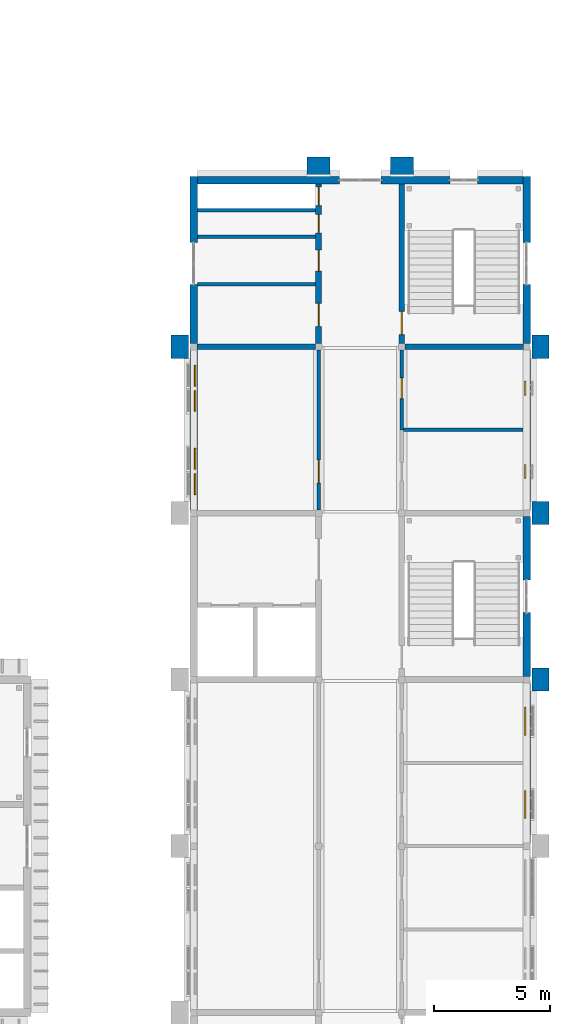
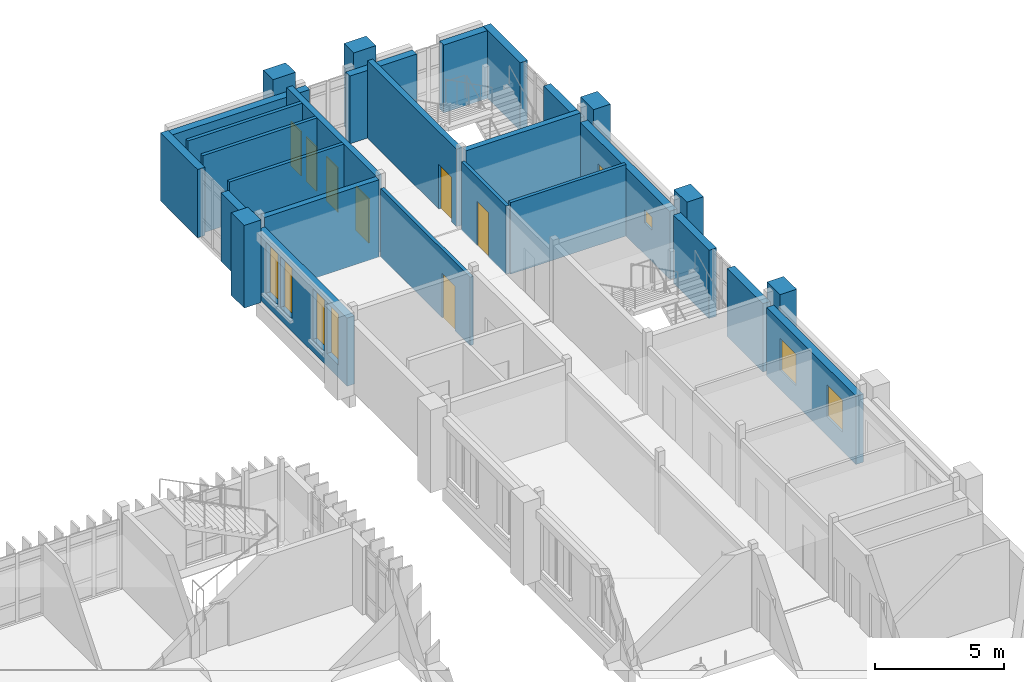
# One storey, part 47 of 69: 28 walls, 8 windows, 7 doors, 15 openings.
"""IFC4 building model written with IfcOpenShell, lengths in metres."""

from ifc_helpers import new_model, si_unit, direction, frame, frame_2d, origin, place, context, subcontext, project, spatial, rectangle, extrude, material, layer, layer_set, type_object, element, fill, save


model = new_model("IFC4")

# Units and contexts
model_context = context("Model", 3, precision=1e-05, world=origin(), true_north=direction((0.0, 1.0)))
body_context = subcontext(model_context, "Body", "Model", "MODEL_VIEW")
ifc_project = project(units=[si_unit("LENGTHUNIT", "METRE"), si_unit("AREAUNIT", "SQUARE_METRE"), si_unit("VOLUMEUNIT", "CUBIC_METRE"), si_unit("PLANEANGLEUNIT", "RADIAN"), si_unit("MASSUNIT", "GRAM", prefix="KILO")], contexts=[model_context])

# Site, building, storey
site_placement = place(None, origin())
site = spatial("IfcSite", under=ifc_project, at=site_placement, CompositionType="ELEMENT")
building_placement = place(site_placement, origin())
building = spatial("IfcBuilding", under=site, at=building_placement, Name="Mazhai Court Health Centre", CompositionType="ELEMENT")
storey_placement = place(building_placement, frame((0.0, 0.0, 6.300048828125)))
storey = spatial("IfcBuildingStorey", under=building, at=storey_placement, Name="L01", CompositionType="ELEMENT", Elevation=6.300048828125)

# Walls
ifc_material_1 = material(Name="Clay brick masonry", Category="masonry")
ifc_layer_1 = layer(ifc_material_1, 0.75)
ifc_layer_set_1 = layer_set([ifc_layer_1], Name="BRICK PIER 750")
wall_type_1 = type_object("IfcWallType", Name="BRICK PIER 750", PredefinedType="SOLIDWALL", material=ifc_layer_set_1)
for number, where, z_axis, x_axis, name in (
    (1, (135.199951171875, 41.699951171875, 0.0), (0.0, 0.0, 1.0), (0.0, 1.0, 0.0), "EP-V6-L01-A5"),
    (2, (150.800048828125, 28.300048828125, 0.0), (0.0, 0.0, 1.0), (0.0, -1.0, 0.0), "EP-V6-L01-B3"),
    (3, (150.800048828125, 35.5, 0.0), (0.0, 0.0, 1.0), (0.0, -1.0, 0.0), "EP-V6-L01-B4"),
    (4, (150.800048828125, 42.699951171875, 0.0), (0.0, 0.0, 1.0), (0.0, -1.0, 0.0), "EP-V6-L01-B5"),
    (5, (140.699951171875, 50.02490234375, 0.0), (0.0, 0.0, 1.0), (1.0, 0.0, 0.0), "EP-V6-L01-E54"),
    (6, (144.300048828125, 50.02490234375, 0.0), (0.0, 0.0, 1.0), (1.0, 0.0, 0.0), "EP-V6-L01-E90"),
):
    element("IfcWall", number, at=place(storey_placement, frame(where, z_axis=z_axis, x_axis=x_axis)), inside=storey, type_object=wall_type_1, Name=name, PredefinedType="SOLIDWALL", context=body_context, shape_type="SweptSolid", body=[
        extrude(rectangle(XDim=1.0, YDim=0.75, at=frame_2d((0.5, 0.0))), origin(), (0.0, 0.0, 1.0), 3.89990234375),
    ])

# Wall, openings, windows
ifc_material_2 = material(Name="Clay brick masonry", Category="masonry")
ifc_layer_2 = layer(ifc_material_2, 0.330078125)
ifc_layer_set_2 = layer_set([ifc_layer_2], Name="BRICK WALL 330 EXTERNAL")
wall_type_2 = type_object("IfcWallType", Name="BRICK WALL 330 EXTERNAL", PredefinedType="SOLIDWALL", material=ifc_layer_set_2)
wall_1_placement = place(storey_placement, frame((135.800048828125, 35.139892578125, 0.0), z_axis=(0.0, 0.0, 1.0), x_axis=(0.0, 1.0, 0.0)))
wall_1 = element("IfcWall", 7, at=wall_1_placement, inside=storey, type_object=wall_type_2, Name="EW-V6-L01-A4p0", PredefinedType="SOLIDWALL", context=body_context, shape_type="SweptSolid", body=[
    extrude(rectangle(XDim=6.920166015625, YDim=0.330078125, at=frame_2d((3.4599609375, 0.0))), origin(), (0.0, 0.0, 1.0), 3.219970703125),
])
opening_1_placement = place(wall_1_placement, frame((0.659912109375, 0.0, 0.60009765625)))
opening_1 = element("IfcOpeningElement", 8, at=opening_1_placement, cuts=wall_1, Name="Opening W14", PredefinedType="OPENING", context=body_context, shape_type="SweptSolid", body=[
    extrude(rectangle(XDim=0.89990234375, YDim=2.39990234375, at=frame_2d((0.449951171875, 1.199951171875))), frame((0.0, 0.175048828125, 0.0), z_axis=(0.0, -1.0, 0.0), x_axis=(1.0, 0.0, 0.0)), (0.0, 0.0, 1.0), 0.35009765625),
])
opening_2_placement = place(wall_1_placement, frame((1.760009765625, 0.0, 0.60009765625)))
opening_2 = element("IfcOpeningElement", 9, at=opening_2_placement, cuts=wall_1, Name="Opening W14", PredefinedType="OPENING", context=body_context, shape_type="SweptSolid", body=[
    extrude(rectangle(XDim=0.89990234375, YDim=2.39990234375, at=frame_2d((0.449951171875, 1.199951171875))), frame((0.0, 0.175048828125, 0.0), z_axis=(0.0, -1.0, 0.0), x_axis=(1.0, 0.0, 0.0)), (0.0, 0.0, 1.0), 0.35009765625),
])
opening_3_placement = place(wall_1_placement, frame((4.260009765625, 0.0, 0.60009765625)))
opening_3 = element("IfcOpeningElement", 10, at=opening_3_placement, cuts=wall_1, Name="Opening W14", PredefinedType="OPENING", context=body_context, shape_type="SweptSolid", body=[
    extrude(rectangle(XDim=0.89990234375, YDim=2.39990234375, at=frame_2d((0.449951171875, 1.199951171875))), frame((0.0, 0.175048828125, 0.0), z_axis=(0.0, -1.0, 0.0), x_axis=(1.0, 0.0, 0.0)), (0.0, 0.0, 1.0), 0.35009765625),
])
opening_4_placement = place(wall_1_placement, frame((5.360107421875, 0.0, 0.60009765625)))
opening_4 = element("IfcOpeningElement", 11, at=opening_4_placement, cuts=wall_1, Name="Opening W14", PredefinedType="OPENING", context=body_context, shape_type="SweptSolid", body=[
    extrude(rectangle(XDim=0.89990234375, YDim=2.39990234375, at=frame_2d((0.449951171875, 1.199951171875))), frame((0.0, 0.175048828125, 0.0), z_axis=(0.0, -1.0, 0.0), x_axis=(1.0, 0.0, 0.0)), (0.0, 0.0, 1.0), 0.35009765625),
])
ifc_material_3 = material(Name="Teak timber frame, glazed", Category="wood")
window_type_1 = type_object("IfcWindowType", Name="WINDOW TALL PAIRED 900x2400", PartitioningType="SINGLE_PANEL", PredefinedType="WINDOW", material=ifc_material_3)
window_1_placement = place(opening_1_placement, origin())
window_1 = element("IfcWindow", 12, at=window_1_placement, inside=storey, type_object=window_type_1, Name="W14 WN-V6-L01-A40a", OverallHeight=2.39990234375, OverallWidth=0.89990234375, PartitioningType="SINGLE_PANEL", PredefinedType="WINDOW", context=body_context, shape_type="SweptSolid", body=[
    extrude(rectangle(XDim=0.89990234375, YDim=2.39990234375, at=frame_2d((0.449951171875, 1.199951171875))), frame((0.0, -0.030029296875, 0.0), z_axis=(0.0, -1.0, 0.0), x_axis=(1.0, 0.0, 0.0)), (0.0, 0.0, 1.0), 0.06005859375),
])
fill(opening_1, window_1)
window_2_placement = place(opening_2_placement, origin())
window_2 = element("IfcWindow", 13, at=window_2_placement, inside=storey, type_object=window_type_1, Name="W14 WN-V6-L01-A40b", OverallHeight=2.39990234375, OverallWidth=0.89990234375, PartitioningType="SINGLE_PANEL", PredefinedType="WINDOW", context=body_context, shape_type="SweptSolid", body=[
    extrude(rectangle(XDim=0.89990234375, YDim=2.39990234375, at=frame_2d((0.449951171875, 1.199951171875))), frame((0.0, -0.030029296875, 0.0), z_axis=(0.0, -1.0, 0.0), x_axis=(1.0, 0.0, 0.0)), (0.0, 0.0, 1.0), 0.06005859375),
])
fill(opening_2, window_2)
window_3_placement = place(opening_3_placement, origin())
window_3 = element("IfcWindow", 14, at=window_3_placement, inside=storey, type_object=window_type_1, Name="W14 WN-V6-L01-A41a", OverallHeight=2.39990234375, OverallWidth=0.89990234375, PartitioningType="SINGLE_PANEL", PredefinedType="WINDOW", context=body_context, shape_type="SweptSolid", body=[
    extrude(rectangle(XDim=0.89990234375, YDim=2.39990234375, at=frame_2d((0.449951171875, 1.199951171875))), frame((0.0, -0.030029296875, 0.0), z_axis=(0.0, -1.0, 0.0), x_axis=(1.0, 0.0, 0.0)), (0.0, 0.0, 1.0), 0.06005859375),
])
fill(opening_3, window_3)
window_4_placement = place(opening_4_placement, origin())
window_4 = element("IfcWindow", 15, at=window_4_placement, inside=storey, type_object=window_type_1, Name="W14 WN-V6-L01-A41b", OverallHeight=2.39990234375, OverallWidth=0.89990234375, PartitioningType="SINGLE_PANEL", PredefinedType="WINDOW", context=body_context, shape_type="SweptSolid", body=[
    extrude(rectangle(XDim=0.89990234375, YDim=2.39990234375, at=frame_2d((0.449951171875, 1.199951171875))), frame((0.0, -0.030029296875, 0.0), z_axis=(0.0, -1.0, 0.0), x_axis=(1.0, 0.0, 0.0)), (0.0, 0.0, 1.0), 0.06005859375),
])
fill(opening_4, window_4)

# Walls
wall_2_placement = place(storey_placement, frame((135.800048828125, 42.340087890625, 0.0), z_axis=(0.0, 0.0, 1.0), x_axis=(0.0, 1.0, 0.0)))
element("IfcWall", 16, at=wall_2_placement, inside=storey, type_object=wall_type_2, Name="EW-V6-L01-A5a", PredefinedType="SOLIDWALL", context=body_context, shape_type="SweptSolid", body=[
    extrude(rectangle(XDim=2.559814453125, YDim=0.330078125, at=frame_2d((1.27978515625, 0.0))), origin(), (0.0, 0.0, 1.0), 3.219970703125),
])
wall_3_placement = place(storey_placement, frame((135.800048828125, 46.699951171875, 0.0), z_axis=(0.0, 0.0, 1.0), x_axis=(0.0, 1.0, 0.0)))
element("IfcWall", 17, at=wall_3_placement, inside=storey, type_object=wall_type_2, Name="EW-V6-L01-A5b", PredefinedType="SOLIDWALL", context=body_context, shape_type="SweptSolid", body=[
    extrude(rectangle(XDim=2.864990234375, YDim=0.330078125, at=frame_2d((1.4326171875, 0.0))), origin(), (0.0, 0.0, 1.0), 3.219970703125),
])

# Wall, openings, windows
wall_4_placement = place(storey_placement, frame((150.199951171875, 27.659912109375, 0.0), z_axis=(0.0, 0.0, 1.0), x_axis=(0.0, -1.0, 0.0)))
wall_4 = element("IfcWall", 18, at=wall_4_placement, inside=storey, type_object=wall_type_2, Name="EW-V6-L01-B2p0", PredefinedType="SOLIDWALL", context=body_context, shape_type="SweptSolid", body=[
    extrude(rectangle(XDim=6.919921875, YDim=0.330078125, at=frame_2d((3.4599609375, 0.0))), origin(), (0.0, 0.0, 1.0), 3.219970703125),
])
opening_5_placement = place(wall_4_placement, frame((4.659912109375, 0.0, 0.89990234375)))
opening_5 = element("IfcOpeningElement", 19, at=opening_5_placement, cuts=wall_4, Name="Opening W12", PredefinedType="OPENING", context=body_context, shape_type="SweptSolid", body=[
    extrude(rectangle(XDim=1.199951171875, YDim=1.5, at=frame_2d((0.60009765625, 0.75))), frame((0.0, 0.175048828125, 0.0), z_axis=(0.0, -1.0, 0.0), x_axis=(1.0, 0.0, 0.0)), (0.0, 0.0, 1.0), 0.35009765625),
])
opening_6_placement = place(wall_4_placement, frame((1.06005859375, 0.0, 0.89990234375)))
opening_6 = element("IfcOpeningElement", 20, at=opening_6_placement, cuts=wall_4, Name="Opening W12", PredefinedType="OPENING", context=body_context, shape_type="SweptSolid", body=[
    extrude(rectangle(XDim=1.199951171875, YDim=1.5, at=frame_2d((0.60009765625, 0.75))), frame((0.0, 0.175048828125, 0.0), z_axis=(0.0, -1.0, 0.0), x_axis=(1.0, 0.0, 0.0)), (0.0, 0.0, 1.0), 0.35009765625),
])
ifc_material_4 = material(Name="Teak timber frame, glazed", Category="wood")
window_type_2 = type_object("IfcWindowType", Name="WINDOW OFFICE 1200x1500", PartitioningType="SINGLE_PANEL", PredefinedType="WINDOW", material=ifc_material_4)
window_5_placement = place(opening_5_placement, origin())
window_5 = element("IfcWindow", 21, at=window_5_placement, inside=storey, type_object=window_type_2, Name="W12 WN-V6-L01-B20", OverallHeight=1.5, OverallWidth=1.199951171875, PartitioningType="SINGLE_PANEL", PredefinedType="WINDOW", context=body_context, shape_type="SweptSolid", body=[
    extrude(rectangle(XDim=1.199951171875, YDim=1.5, at=frame_2d((0.60009765625, 0.75))), frame((0.0, -0.030029296875, 0.0), z_axis=(0.0, -1.0, 0.0), x_axis=(1.0, 0.0, 0.0)), (0.0, 0.0, 1.0), 0.06005859375),
])
fill(opening_5, window_5)
window_6_placement = place(opening_6_placement, origin())
window_6 = element("IfcWindow", 22, at=window_6_placement, inside=storey, type_object=window_type_2, Name="W12 WN-V6-L01-B21", OverallHeight=1.5, OverallWidth=1.199951171875, PartitioningType="SINGLE_PANEL", PredefinedType="WINDOW", context=body_context, shape_type="SweptSolid", body=[
    extrude(rectangle(XDim=1.199951171875, YDim=1.5, at=frame_2d((0.60009765625, 0.75))), frame((0.0, -0.030029296875, 0.0), z_axis=(0.0, -1.0, 0.0), x_axis=(1.0, 0.0, 0.0)), (0.0, 0.0, 1.0), 0.06005859375),
])
fill(opening_6, window_6)

# Walls
for number, where, z_axis, x_axis, name in (
    (23, (150.199951171875, 30.699951171875, 0.0), (0.0, 0.0, 1.0), (0.0, -1.0, 0.0), "EW-V6-L01-B3a"),
    (24, (150.199951171875, 34.860107421875, 0.0), (0.0, 0.0, 1.0), (0.0, -1.0, 0.0), "EW-V6-L01-B3b"),
):
    element("IfcWall", number, at=place(storey_placement, frame(where, z_axis=z_axis, x_axis=x_axis)), inside=storey, type_object=wall_type_2, Name=name, PredefinedType="SOLIDWALL", context=body_context, shape_type="SweptSolid", body=[
        extrude(rectangle(XDim=2.760009765625, YDim=0.330078125, at=frame_2d((1.3798828125, 0.0))), origin(), (0.0, 0.0, 1.0), 3.219970703125),
    ])

# Wall, openings, windows
wall_5_placement = place(storey_placement, frame((150.199951171875, 42.06005859375, 0.0), z_axis=(0.0, 0.0, 1.0), x_axis=(0.0, -1.0, 0.0)))
wall_5 = element("IfcWall", 25, at=wall_5_placement, inside=storey, type_object=wall_type_2, Name="EW-V6-L01-B4p0", PredefinedType="SOLIDWALL", context=body_context, shape_type="SweptSolid", body=[
    extrude(rectangle(XDim=6.920166015625, YDim=0.330078125, at=frame_2d((3.4599609375, 0.0))), origin(), (0.0, 0.0, 1.0), 3.219970703125),
])
opening_7_placement = place(wall_5_placement, frame((4.9599609375, 0.0, 1.5)))
opening_7 = element("IfcOpeningElement", 26, at=opening_7_placement, cuts=wall_5, Name="Opening W5", PredefinedType="OPENING", context=body_context, shape_type="SweptSolid", body=[
    extrude(rectangle(XDim=0.60009765625, YDim=0.60009765625, at=frame_2d((0.300048828125, 0.300048828125))), frame((0.0, 0.175048828125, 0.0), z_axis=(0.0, -1.0, 0.0), x_axis=(1.0, 0.0, 0.0)), (0.0, 0.0, 1.0), 0.35009765625),
])
opening_8_placement = place(wall_5_placement, frame((1.360107421875, 0.0, 1.5)))
opening_8 = element("IfcOpeningElement", 27, at=opening_8_placement, cuts=wall_5, Name="Opening W5", PredefinedType="OPENING", context=body_context, shape_type="SweptSolid", body=[
    extrude(rectangle(XDim=0.60009765625, YDim=0.60009765625, at=frame_2d((0.300048828125, 0.300048828125))), frame((0.0, 0.175048828125, 0.0), z_axis=(0.0, -1.0, 0.0), x_axis=(1.0, 0.0, 0.0)), (0.0, 0.0, 1.0), 0.35009765625),
])
ifc_material_5 = material(Name="Teak timber frame, glazed", Category="wood")
window_type_3 = type_object("IfcWindowType", Name="WINDOW HIGH LEVEL 600x600", PartitioningType="SINGLE_PANEL", PredefinedType="WINDOW", material=ifc_material_5)
window_7_placement = place(opening_7_placement, origin())
window_7 = element("IfcWindow", 28, at=window_7_placement, inside=storey, type_object=window_type_3, Name="W5 WN-V6-L01-B40", OverallHeight=0.60009765625, OverallWidth=0.60009765625, PartitioningType="SINGLE_PANEL", PredefinedType="WINDOW", context=body_context, shape_type="SweptSolid", body=[
    extrude(rectangle(XDim=0.60009765625, YDim=0.60009765625, at=frame_2d((0.300048828125, 0.300048828125))), frame((0.0, -0.030029296875, 0.0), z_axis=(0.0, -1.0, 0.0), x_axis=(1.0, 0.0, 0.0)), (0.0, 0.0, 1.0), 0.06005859375),
])
fill(opening_7, window_7)
window_8_placement = place(opening_8_placement, origin())
window_8 = element("IfcWindow", 29, at=window_8_placement, inside=storey, type_object=window_type_3, Name="W5 WN-V6-L01-B41", OverallHeight=0.60009765625, OverallWidth=0.60009765625, PartitioningType="SINGLE_PANEL", PredefinedType="WINDOW", context=body_context, shape_type="SweptSolid", body=[
    extrude(rectangle(XDim=0.60009765625, YDim=0.60009765625, at=frame_2d((0.300048828125, 0.300048828125))), frame((0.0, -0.030029296875, 0.0), z_axis=(0.0, -1.0, 0.0), x_axis=(1.0, 0.0, 0.0)), (0.0, 0.0, 1.0), 0.06005859375),
])
fill(opening_8, window_8)

# Walls
wall_6_placement = place(storey_placement, frame((150.199951171875, 44.89990234375, 0.0), z_axis=(0.0, 0.0, 1.0), x_axis=(0.0, -1.0, 0.0)))
element("IfcWall", 30, at=wall_6_placement, inside=storey, type_object=wall_type_2, Name="EW-V6-L01-B5a", PredefinedType="SOLIDWALL", context=body_context, shape_type="SweptSolid", body=[
    extrude(rectangle(XDim=2.559814453125, YDim=0.330078125, at=frame_2d((1.27978515625, 0.0))), origin(), (0.0, 0.0, 1.0), 3.219970703125),
])
wall_7_placement = place(storey_placement, frame((150.199951171875, 49.56494140625, 0.0), z_axis=(0.0, 0.0, 1.0), x_axis=(0.0, -1.0, 0.0)))
element("IfcWall", 31, at=wall_7_placement, inside=storey, type_object=wall_type_2, Name="EW-V6-L01-B5b", PredefinedType="SOLIDWALL", context=body_context, shape_type="SweptSolid", body=[
    extrude(rectangle(XDim=2.864990234375, YDim=0.330078125, at=frame_2d((1.4326171875, 0.0))), origin(), (0.0, 0.0, 1.0), 3.219970703125),
])
wall_8_placement = place(storey_placement, frame((135.965087890625, 49.39990234375, 0.0), z_axis=(0.0, 0.0, 1.0), x_axis=(1.0, 0.0, 0.0)))
element("IfcWall", 32, at=wall_8_placement, inside=storey, type_object=wall_type_2, Name="EW-V6-L01-Ep0", PredefinedType="SOLIDWALL", context=body_context, shape_type="SweptSolid", body=[
    extrude(rectangle(XDim=6.135009765625, YDim=0.330078125, at=frame_2d((3.0673828125, 0.0))), origin(), (0.0, 0.0, 1.0), 3.199951171875),
])
wall_9_placement = place(storey_placement, frame((143.89990234375, 49.39990234375, 0.0), z_axis=(0.0, 0.0, 1.0), x_axis=(1.0, 0.0, 0.0)))
element("IfcWall", 33, at=wall_9_placement, inside=storey, type_object=wall_type_2, Name="EW-V6-L01-Ep1", PredefinedType="SOLIDWALL", context=body_context, shape_type="SweptSolid", body=[
    extrude(rectangle(XDim=2.97998046875, YDim=0.330078125, at=frame_2d((1.489990234375, 0.0))), origin(), (0.0, 0.0, 1.0), 3.199951171875),
])
wall_10_placement = place(storey_placement, frame((148.080078125, 49.39990234375, 0.0), z_axis=(0.0, 0.0, 1.0), x_axis=(1.0, 0.0, 0.0)))
element("IfcWall", 34, at=wall_10_placement, inside=storey, type_object=wall_type_2, Name="EW-V6-L01-Ep2", PredefinedType="SOLIDWALL", context=body_context, shape_type="SweptSolid", body=[
    extrude(rectangle(XDim=1.954833984375, YDim=0.330078125, at=frame_2d((0.9775390625, 0.0))), origin(), (0.0, 0.0, 1.0), 3.199951171875),
])

# Wall, opening, door
ifc_material_6 = material(Name="Gypsum plasterboard partition")
ifc_layer_3 = layer(ifc_material_6, 0.14990234375)
ifc_layer_set_3 = layer_set([ifc_layer_3], Name="PARTITION 150 CORRIDOR EI60")
wall_type_3 = type_object("IfcWallType", Name="PARTITION 150 CORRIDOR EI60", PredefinedType="PARTITIONING", material=ifc_layer_set_3)
wall_11_placement = place(storey_placement, frame((141.199951171875, 35.139892578125, 0.0), z_axis=(0.0, 0.0, 1.0), x_axis=(0.0, 1.0, 0.0)))
wall_11 = element("IfcWall", 35, at=wall_11_placement, inside=storey, type_object=wall_type_3, Name="wall-V6-L01-A1-corr-0a", PredefinedType="PARTITIONING", context=body_context, shape_type="SweptSolid", body=[
    extrude(rectangle(XDim=6.920166015625, YDim=0.14990234375, at=frame_2d((3.4599609375, 0.0))), origin(), (0.0, 0.0, 1.0), 3.219970703125),
])
opening_9_placement = place(wall_11_placement, frame((1.159912109375, 0.0, 0.0)))
opening_9 = element("IfcOpeningElement", 36, at=opening_9_placement, cuts=wall_11, Name="Opening D-L01-072", PredefinedType="OPENING", context=body_context, shape_type="SweptSolid", body=[
    extrude(rectangle(XDim=1.0, YDim=2.10009765625, at=frame_2d((0.5, 1.050048828125))), frame((0.0, 0.0849609375, 0.0), z_axis=(0.0, -1.0, 0.0), x_axis=(1.0, 0.0, 0.0)), (0.0, 0.0, 1.0), 0.169921875),
])
ifc_material_7 = material(Name="Hardwood door leaf", Category="wood")
door_type_1 = type_object("IfcDoorType", Name="DOOR 1000x2100 FD30S SINGLE", OperationType="NOTDEFINED", PredefinedType="DOOR", material=ifc_material_7)
door_1_placement = place(opening_9_placement, origin())
door_1 = element("IfcDoor", 37, at=door_1_placement, inside=storey, type_object=door_type_1, Name="door-V6-L01-A1-art-and-music-therapy-room", OperationType="SINGLE_SWING_LEFT", OverallHeight=2.10009765625, OverallWidth=1.0, PredefinedType="DOOR", context=body_context, shape_type="SweptSolid", body=[
    extrude(rectangle(XDim=1.0, YDim=2.10009765625, at=frame_2d((0.5, 1.050048828125))), frame((0.0, 0.02490234375, 0.0), z_axis=(0.0, -1.0, 0.0), x_axis=(1.0, 0.0, 0.0)), (0.0, 0.0, 1.0), 0.050048828125),
])
fill(opening_9, door_1)

wall_12_placement = place(storey_placement, frame((144.800048828125, 38.60009765625, 0.0), z_axis=(0.0, 0.0, 1.0), x_axis=(0.0, 1.0, 0.0)))
wall_12 = element("IfcWall", 38, at=wall_12_placement, inside=storey, type_object=wall_type_3, Name="wall-V6-L01-B1-corr-1a", PredefinedType="PARTITIONING", context=body_context, shape_type="SweptSolid", body=[
    extrude(rectangle(XDim=3.4599609375, YDim=0.14990234375, at=frame_2d((1.72998046875, 0.0))), origin(), (0.0, 0.0, 1.0), 3.219970703125),
])
opening_10_placement = place(wall_12_placement, frame((1.35009765625, 0.0, 0.0)))
opening_10 = element("IfcOpeningElement", 39, at=opening_10_placement, cuts=wall_12, Name="Opening D-L01-087", PredefinedType="OPENING", context=body_context, shape_type="SweptSolid", body=[
    extrude(rectangle(XDim=0.89990234375, YDim=2.10009765625, at=frame_2d((0.449951171875, 1.050048828125))), frame((0.0, 0.0849609375, 0.0), z_axis=(0.0, -1.0, 0.0), x_axis=(1.0, 0.0, 0.0)), (0.0, 0.0, 1.0), 0.169921875),
])
ifc_material_8 = material(Name="Hardwood door leaf", Category="wood")
door_type_2 = type_object("IfcDoorType", Name="DOOR 900x2100 FD30S SINGLE", OperationType="NOTDEFINED", PredefinedType="DOOR", material=ifc_material_8)
door_2_placement = place(opening_10_placement, origin())
door_2 = element("IfcDoor", 40, at=door_2_placement, inside=storey, type_object=door_type_2, Name="door-V6-L01-B1-accessible-wc", OperationType="SINGLE_SWING_RIGHT", OverallHeight=2.10009765625, OverallWidth=0.89990234375, PredefinedType="DOOR", context=body_context, shape_type="SweptSolid", body=[
    extrude(rectangle(XDim=0.89990234375, YDim=2.10009765625, at=frame_2d((0.449951171875, 1.050048828125))), frame((0.0, 0.02490234375, 0.0), z_axis=(0.0, -1.0, 0.0), x_axis=(1.0, 0.0, 0.0)), (0.0, 0.0, 1.0), 0.050048828125),
])
fill(opening_10, door_2)

# Wall
ifc_material_9 = material(Name="Gypsum plasterboard partition")
ifc_layer_4 = layer(ifc_material_9, 0.14990234375)
ifc_layer_set_4 = layer_set([ifc_layer_4], Name="PARTITION 150 WET AREA EI30")
wall_type_4 = type_object("IfcWallType", Name="PARTITION 150 WET AREA EI30", PredefinedType="PARTITIONING", material=ifc_layer_set_4)
wall_13_placement = place(storey_placement, frame((150.034912109375, 38.60009765625, 0.0), z_axis=(0.0, 0.0, 1.0), x_axis=(-1.0, 0.0, 0.0)))
element("IfcWall", 41, at=wall_13_placement, inside=storey, type_object=wall_type_4, Name="wall-V6-L01-B1-cross-1a", PredefinedType="PARTITIONING", context=body_context, shape_type="SweptSolid", body=[
    extrude(rectangle(XDim=5.159912109375, YDim=0.14990234375, at=frame_2d((2.580078125, 0.0))), origin(), (0.0, 0.0, 1.0), 3.3798828125),
])

# Wall, opening, door
ifc_material_10 = material(Name="Concrete M40", Category="concrete")
ifc_layer_5 = layer(ifc_material_10, 0.25)
ifc_layer_set_5 = layer_set([ifc_layer_5], Name="RC CORE WALL 250 M40")
wall_type_5 = type_object("IfcWallType", Name="RC CORE WALL 250 M40", PredefinedType="SHEAR", material=ifc_layer_set_5)
wall_14_placement = place(storey_placement, frame((144.800048828125, 42.340087890625, 0.0), z_axis=(0.0, 0.0, 1.0), x_axis=(0.0, 1.0, 0.0)))
wall_14 = element("IfcWall", 42, at=wall_14_placement, inside=storey, type_object=wall_type_5, Name="core-C10-w-stair-corr-L01", PredefinedType="SHEAR", context=body_context, shape_type="SweptSolid", body=[
    extrude(rectangle(XDim=6.89501953125, YDim=0.25, at=frame_2d((3.447509765625, 0.0))), origin(), (0.0, 0.0, 1.0), 3.64990234375),
])
opening_11_placement = place(wall_14_placement, frame((0.385009765625, 0.0, 0.0)))
opening_11 = element("IfcOpeningElement", 43, at=opening_11_placement, cuts=wall_14, Name="Opening D-L01-088", PredefinedType="OPENING", context=body_context, shape_type="SweptSolid", body=[
    extrude(rectangle(XDim=1.0, YDim=2.10009765625, at=frame_2d((0.5, 1.050048828125))), frame((0.0, 0.135009765625, 0.0), z_axis=(0.0, -1.0, 0.0), x_axis=(1.0, 0.0, 0.0)), (0.0, 0.0, 1.0), 0.27001953125),
])
ifc_material_11 = material(Name="Steel fire door leaf", Category="steel")
door_type_3 = type_object("IfcDoorType", Name="FD120S STAIR DOOR 1000x2100", OperationType="SINGLE_SWING_LEFT", PredefinedType="DOOR", material=ifc_material_11)
door_3_placement = place(opening_11_placement, origin())
door_3 = element("IfcDoor", 44, at=door_3_placement, inside=storey, type_object=door_type_3, Name="Stair 10 door L01", OperationType="SINGLE_SWING_RIGHT", OverallHeight=2.10009765625, OverallWidth=1.0, PredefinedType="DOOR", context=body_context, shape_type="SweptSolid", body=[
    extrude(rectangle(XDim=1.0, YDim=2.10009765625, at=frame_2d((0.5, 1.050048828125))), frame((0.0, 0.02490234375, 0.0), z_axis=(0.0, -1.0, 0.0), x_axis=(1.0, 0.0, 0.0)), (0.0, 0.0, 1.0), 0.050048828125),
])
fill(opening_11, door_3)

# Wall
wall_15_placement = place(storey_placement, frame((144.93994140625, 42.199951171875, 0.0), z_axis=(0.0, 0.0, 1.0), x_axis=(1.0, 0.0, 0.0)))
element("IfcWall", 45, at=wall_15_placement, inside=storey, type_object=wall_type_5, Name="core-C10-w-stair-line0-L01", PredefinedType="SHEAR", context=body_context, shape_type="SweptSolid", body=[
    extrude(rectangle(XDim=5.1201171875, YDim=0.25, at=frame_2d((2.56005859375, 0.0))), origin(), (0.0, 0.0, 1.0), 3.64990234375),
])

# Wall, openings, doors
wall_16_placement = place(storey_placement, frame((141.199951171875, 42.340087890625, 0.0), z_axis=(0.0, 0.0, 1.0), x_axis=(0.0, 1.0, 0.0)))
wall_16 = element("IfcWall", 46, at=wall_16_placement, inside=storey, type_object=wall_type_5, Name="core-C10-w-other-corr-L01", PredefinedType="SHEAR", context=body_context, shape_type="SweptSolid", body=[
    extrude(rectangle(XDim=6.89501953125, YDim=0.25, at=frame_2d((3.447509765625, 0.0))), origin(), (0.0, 0.0, 1.0), 3.64990234375),
])
opening_12_placement = place(wall_16_placement, frame((0.735107421875, 0.0, 0.0)))
opening_12 = element("IfcOpeningElement", 47, at=opening_12_placement, cuts=wall_16, Name="Opening D-L01-073", PredefinedType="OPENING", context=body_context, shape_type="SweptSolid", body=[
    extrude(rectangle(XDim=1.0, YDim=2.10009765625, at=frame_2d((0.5, 1.050048828125))), frame((0.0, 0.135009765625, 0.0), z_axis=(0.0, -1.0, 0.0), x_axis=(1.0, 0.0, 0.0)), (0.0, 0.0, 1.0), 0.27001953125),
])
opening_13_placement = place(wall_16_placement, frame((3.135009765625, 0.0, 0.0)))
opening_13 = element("IfcOpeningElement", 48, at=opening_13_placement, cuts=wall_16, Name="Opening D-L01-074", PredefinedType="OPENING", context=body_context, shape_type="SweptSolid", body=[
    extrude(rectangle(XDim=0.89990234375, YDim=2.10009765625, at=frame_2d((0.449951171875, 1.050048828125))), frame((0.0, 0.135009765625, 0.0), z_axis=(0.0, -1.0, 0.0), x_axis=(1.0, 0.0, 0.0)), (0.0, 0.0, 1.0), 0.27001953125),
])
opening_14_placement = place(wall_16_placement, frame((4.784912109375, 0.0, 0.0)))
opening_14 = element("IfcOpeningElement", 49, at=opening_14_placement, cuts=wall_16, Name="Opening D-L01-075", PredefinedType="OPENING", context=body_context, shape_type="SweptSolid", body=[
    extrude(rectangle(XDim=0.800048828125, YDim=2.10009765625, at=frame_2d((0.39990234375, 1.050048828125))), frame((0.0, 0.135009765625, 0.0), z_axis=(0.0, -1.0, 0.0), x_axis=(1.0, 0.0, 0.0)), (0.0, 0.0, 1.0), 0.27001953125),
])
opening_15_placement = place(wall_16_placement, frame((5.965087890625, 0.0, 0.0)))
opening_15 = element("IfcOpeningElement", 50, at=opening_15_placement, cuts=wall_16, Name="Opening D-L01-076", PredefinedType="OPENING", context=body_context, shape_type="SweptSolid", body=[
    extrude(rectangle(XDim=0.800048828125, YDim=2.10009765625, at=frame_2d((0.39990234375, 1.050048828125))), frame((0.0, 0.135009765625, 0.0), z_axis=(0.0, -1.0, 0.0), x_axis=(1.0, 0.0, 0.0)), (0.0, 0.0, 1.0), 0.27001953125),
])
ifc_material_12 = material(Name="Timber door leaf", Category="wood")
door_type_4 = type_object("IfcDoorType", Name="ACCESSIBLE WC DOOR 1000x2100", OperationType="SINGLE_SWING_RIGHT", PredefinedType="DOOR", material=ifc_material_12)
door_4_placement = place(opening_12_placement, origin())
door_4 = element("IfcDoor", 51, at=door_4_placement, inside=storey, type_object=door_type_4, Name="Accessible WC door L01", OperationType="SINGLE_SWING_LEFT", OverallHeight=2.10009765625, OverallWidth=1.0, PredefinedType="DOOR", context=body_context, shape_type="SweptSolid", body=[
    extrude(rectangle(XDim=1.0, YDim=2.10009765625, at=frame_2d((0.5, 1.050048828125))), frame((0.0, 0.02490234375, 0.0), z_axis=(0.0, -1.0, 0.0), x_axis=(1.0, 0.0, 0.0)), (0.0, 0.0, 1.0), 0.050048828125),
])
fill(opening_12, door_4)
ifc_material_13 = material(Name="Timber door leaf", Category="wood")
door_type_5 = type_object("IfcDoorType", Name="CLEANER STORE DOOR 800x2100", OperationType="SINGLE_SWING_LEFT", PredefinedType="DOOR", material=ifc_material_13)
door_5_placement = place(opening_14_placement, origin())
door_5 = element("IfcDoor", 52, at=door_5_placement, inside=storey, type_object=door_type_5, Name="Cleaner door L01", OperationType="SINGLE_SWING_LEFT", OverallHeight=2.10009765625, OverallWidth=0.800048828125, PredefinedType="DOOR", context=body_context, shape_type="SweptSolid", body=[
    extrude(rectangle(XDim=0.800048828125, YDim=2.10009765625, at=frame_2d((0.39990234375, 1.050048828125))), frame((0.0, 0.02490234375, 0.0), z_axis=(0.0, -1.0, 0.0), x_axis=(1.0, 0.0, 0.0)), (0.0, 0.0, 1.0), 0.050048828125),
])
fill(opening_14, door_5)
ifc_material_14 = material(Name="Steel fire door leaf", Category="steel")
door_type_6 = type_object("IfcDoorType", Name="FD60S RISER DOOR 800x2100", OperationType="SINGLE_SWING_LEFT", PredefinedType="DOOR", material=ifc_material_14)
door_6_placement = place(opening_15_placement, origin())
door_6 = element("IfcDoor", 53, at=door_6_placement, inside=storey, type_object=door_type_6, Name="Riser door L01", OperationType="SINGLE_SWING_LEFT", OverallHeight=2.10009765625, OverallWidth=0.800048828125, PredefinedType="DOOR", context=body_context, shape_type="SweptSolid", body=[
    extrude(rectangle(XDim=0.800048828125, YDim=2.10009765625, at=frame_2d((0.39990234375, 1.050048828125))), frame((0.0, 0.02490234375, 0.0), z_axis=(0.0, -1.0, 0.0), x_axis=(1.0, 0.0, 0.0)), (0.0, 0.0, 1.0), 0.050048828125),
])
fill(opening_15, door_6)
ifc_material_15 = material(Name="Timber door leaf", Category="wood")
door_type_7 = type_object("IfcDoorType", Name="WC DOOR 900x2100", OperationType="SINGLE_SWING_LEFT", PredefinedType="DOOR", material=ifc_material_15)
door_7_placement = place(opening_13_placement, origin())
door_7 = element("IfcDoor", 54, at=door_7_placement, inside=storey, type_object=door_type_7, Name="WC door L01", OperationType="SINGLE_SWING_LEFT", OverallHeight=2.10009765625, OverallWidth=0.89990234375, PredefinedType="DOOR", context=body_context, shape_type="SweptSolid", body=[
    extrude(rectangle(XDim=0.89990234375, YDim=2.10009765625, at=frame_2d((0.449951171875, 1.050048828125))), frame((0.0, 0.02490234375, 0.0), z_axis=(0.0, -1.0, 0.0), x_axis=(1.0, 0.0, 0.0)), (0.0, 0.0, 1.0), 0.050048828125),
])
fill(opening_13, door_7)

# Walls
wall_17_placement = place(storey_placement, frame((135.93994140625, 42.199951171875, 0.0), z_axis=(0.0, 0.0, 1.0), x_axis=(1.0, 0.0, 0.0)))
element("IfcWall", 55, at=wall_17_placement, inside=storey, type_object=wall_type_5, Name="core-C10-w-other-line0-L01", PredefinedType="SHEAR", context=body_context, shape_type="SweptSolid", body=[
    extrude(rectangle(XDim=5.1201171875, YDim=0.25, at=frame_2d((2.56005859375, 0.0))), origin(), (0.0, 0.0, 1.0), 3.64990234375),
])
ifc_material_16 = material(Name="Concrete M25", Category="concrete")
ifc_layer_6 = layer(ifc_material_16, 0.14990234375)
ifc_layer_set_6 = layer_set([ifc_layer_6], Name="RC SERVICE ROOM WALL 150 M25")
wall_type_6 = type_object("IfcWallType", Name="RC SERVICE ROOM WALL 150 M25", PredefinedType="PARTITIONING", material=ifc_layer_set_6)
for number, where, z_axis, x_axis, name in (
    (56, (135.965087890625, 44.89990234375, 0.0), (0.0, 0.0, 1.0), (1.0, 0.0, 0.0), "core-C10-w-room0-L01"),
    (57, (135.965087890625, 46.949951171875, 0.0), (0.0, 0.0, 1.0), (1.0, 0.0, 0.0), "core-C10-w-room1-L01"),
    (58, (135.965087890625, 48.10009765625, 0.0), (0.0, 0.0, 1.0), (1.0, 0.0, 0.0), "core-C10-w-room2-L01"),
):
    element("IfcWall", number, at=place(storey_placement, frame(where, z_axis=z_axis, x_axis=x_axis)), inside=storey, type_object=wall_type_6, Name=name, PredefinedType="PARTITIONING", context=body_context, shape_type="SweptSolid", body=[
        extrude(rectangle(XDim=5.10986328125, YDim=0.14990234375, at=frame_2d((2.554931640625, 0.0))), origin(), (0.0, 0.0, 1.0), 3.64990234375),
    ])

save(model, "model.ifc")
